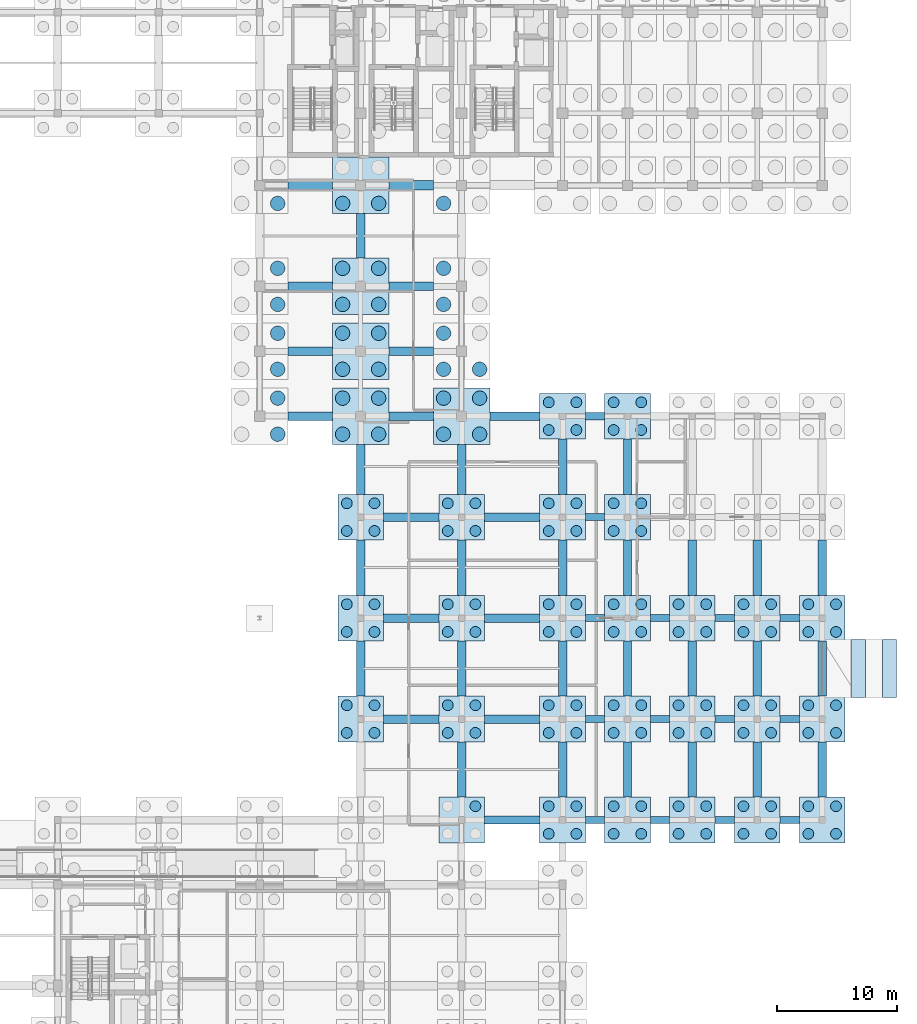
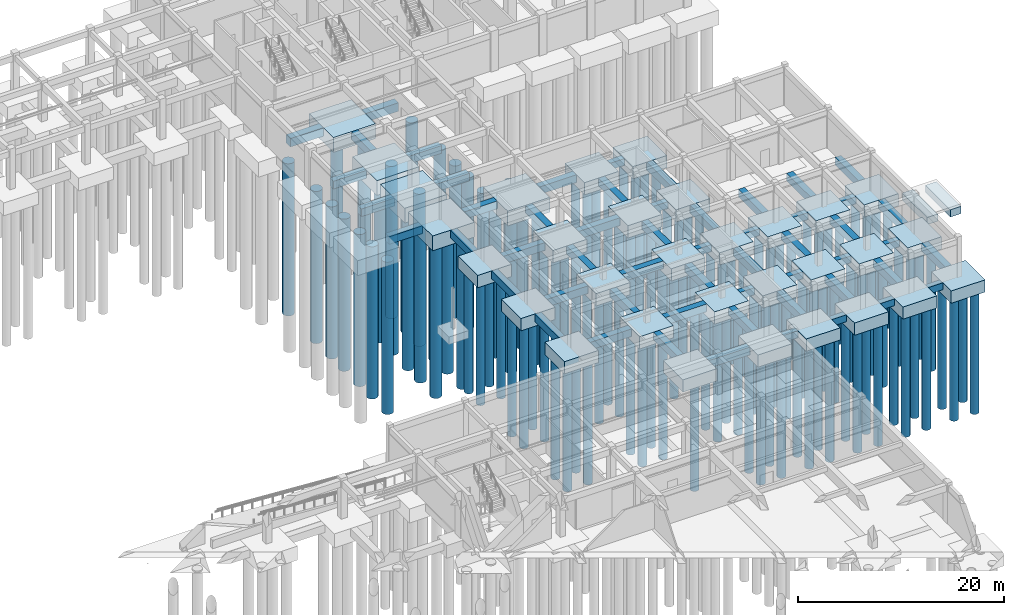
# One storey, part 8 of 49: 132 piles, 88 footings.
"""IFC4 building model written with IfcOpenShell, lengths in metres."""

from ifc_helpers import new_model, si_unit, direction, frame, origin, origin_2d, place, context, subcontext, project, spatial, rectangle, circle, extrude, material, material_profile, profile_set, type_object, element, save


model = new_model("IFC4")

# Units and contexts
model_context = context("Model", 3, precision=1e-05, world=origin(), true_north=direction((0.0, 1.0)))
body_context = subcontext(model_context, "Body", "Model", "MODEL_VIEW")
ifc_project = project(units=[si_unit("LENGTHUNIT", "METRE"), si_unit("AREAUNIT", "SQUARE_METRE"), si_unit("VOLUMEUNIT", "CUBIC_METRE"), si_unit("PLANEANGLEUNIT", "RADIAN"), si_unit("MASSUNIT", "GRAM", prefix="KILO")], contexts=[model_context])

# Site, building, storey
site_placement = place(None, origin())
site = spatial("IfcSite", under=ifc_project, at=site_placement, CompositionType="ELEMENT")
building_placement = place(site_placement, origin())
building = spatial("IfcBuilding", under=site, at=building_placement, Name="Krzemoval Escarpment Law Courts", CompositionType="ELEMENT")
storey_placement = place(building_placement, frame((0.0, 0.0, -4.800048828125)))
storey = spatial("IfcBuildingStorey", under=building, at=storey_placement, Name="B1", CompositionType="ELEMENT", Elevation=-4.800048828125)

# Footings
ifc_material_1 = material(Name="Concrete C35/45", Category="concrete")
footing_type_1 = type_object("IfcFootingType", Name="CAP-4P-3800x3800x1450", PredefinedType="PILE_CAP", material=ifc_material_1)
for number, where, z_axis, x_axis, name in (
    (1, (134.39990234375, 49.199951171875, -1.44970703125), (0.0, 0.0, 1.0), (1.0, 0.0, 0.0), "Pile Cap FC-189"),
    (2, (134.39990234375, 57.60009765625, -1.44970703125), (0.0, 0.0, 1.0), (1.0, 0.0, 0.0), "Pile Cap FC-190"),
    (3, (134.39990234375, 66.0, -1.44970703125), (0.0, 0.0, 1.0), (1.0, 0.0, 0.0), "Pile Cap FC-191"),
    (4, (142.800048828125, 40.800048828125, -1.44970703125), (0.0, 0.0, 1.0), (1.0, 0.0, 0.0), "Pile Cap FC-205"),
    (5, (142.800048828125, 49.199951171875, -1.44970703125), (0.0, 0.0, 1.0), (1.0, 0.0, 0.0), "Pile Cap FC-206"),
    (6, (142.800048828125, 57.60009765625, -1.44970703125), (0.0, 0.0, 1.0), (1.0, 0.0, 0.0), "Pile Cap FC-207"),
    (7, (142.800048828125, 66.0, -1.44970703125), (0.0, 0.0, 1.0), (1.0, 0.0, 0.0), "Pile Cap FC-208"),
    (8, (151.199951171875, 40.800048828125, -1.44970703125), (0.0, 0.0, 1.0), (1.0, 0.0, 0.0), "Pile Cap FC-222"),
    (9, (151.199951171875, 49.199951171875, -1.44970703125), (0.0, 0.0, 1.0), (1.0, 0.0, 0.0), "Pile Cap FC-223"),
    (10, (151.199951171875, 57.60009765625, -1.44970703125), (0.0, 0.0, 1.0), (1.0, 0.0, 0.0), "Pile Cap FC-224"),
    (11, (151.199951171875, 66.0, -1.44970703125), (0.0, 0.0, 1.0), (1.0, 0.0, 0.0), "Pile Cap FC-225"),
    (12, (151.199951171875, 74.39990234375, -1.44970703125), (0.0, 0.0, 1.0), (1.0, 0.0, 0.0), "Pile Cap FC-226"),
    (13, (156.60009765625, 40.800048828125, -1.44970703125), (0.0, 0.0, 1.0), (1.0, 0.0, 0.0), "Pile Cap FC-232"),
    (14, (156.60009765625, 49.199951171875, -1.44970703125), (0.0, 0.0, 1.0), (1.0, 0.0, 0.0), "Pile Cap FC-233"),
    (15, (156.60009765625, 57.60009765625, -1.44970703125), (0.0, 0.0, 1.0), (1.0, 0.0, 0.0), "Pile Cap FC-234"),
    (16, (156.60009765625, 66.0, -1.44970703125), (0.0, 0.0, 1.0), (1.0, 0.0, 0.0), "Pile Cap FC-235"),
    (17, (156.60009765625, 74.39990234375, -1.44970703125), (0.0, 0.0, 1.0), (1.0, 0.0, 0.0), "Pile Cap FC-236"),
    (18, (162.0, 40.800048828125, -1.44970703125), (0.0, 0.0, 1.0), (1.0, 0.0, 0.0), "Pile Cap FC-242"),
    (19, (162.0, 49.199951171875, -1.44970703125), (0.0, 0.0, 1.0), (1.0, 0.0, 0.0), "Pile Cap FC-243"),
    (20, (162.0, 57.60009765625, -1.44970703125), (0.0, 0.0, 1.0), (1.0, 0.0, 0.0), "Pile Cap FC-244"),
    (21, (167.39990234375, 40.800048828125, -1.44970703125), (0.0, 0.0, 1.0), (1.0, 0.0, 0.0), "Pile Cap FC-252"),
    (22, (167.39990234375, 49.199951171875, -1.44970703125), (0.0, 0.0, 1.0), (1.0, 0.0, 0.0), "Pile Cap FC-253"),
    (23, (167.39990234375, 57.60009765625, -1.44970703125), (0.0, 0.0, 1.0), (1.0, 0.0, 0.0), "Pile Cap FC-254"),
    (24, (172.800048828125, 40.800048828125, -1.44970703125), (0.0, 0.0, 1.0), (1.0, 0.0, 0.0), "Pile Cap FC-262"),
    (25, (172.800048828125, 49.199951171875, -1.44970703125), (0.0, 0.0, 1.0), (1.0, 0.0, 0.0), "Pile Cap FC-263"),
    (26, (172.800048828125, 57.60009765625, -1.44970703125), (0.0, 0.0, 1.0), (1.0, 0.0, 0.0), "Pile Cap FC-264"),
):
    element("IfcFooting", number, at=place(storey_placement, frame(where, z_axis=z_axis, x_axis=x_axis)), inside=storey, type_object=footing_type_1, Name=name, PredefinedType="PILE_CAP", context=body_context, shape_type="SweptSolid", body=[
        extrude(rectangle(XDim=3.800048828125, YDim=3.800048828125, at=origin_2d()), origin(), (0.0, 0.0, 1.0), 1.449951171875),
    ])
ifc_material_2 = material(Name="Concrete C35/45", Category="concrete")
footing_type_2 = type_object("IfcFootingType", Name="CAP-4P-4700x4700x1750", PredefinedType="PILE_CAP", material=ifc_material_2)
for number, where, z_axis, x_axis, name in (
    (27, (134.39990234375, 74.39990234375, -1.75), (0.0, 0.0, 1.0), (1.0, 0.0, 0.0), "Pile Cap FC-192"),
    (28, (134.39990234375, 79.800048828125, -1.75), (0.0, 0.0, 1.0), (1.0, 0.0, 0.0), "Pile Cap FC-193"),
    (29, (134.39990234375, 85.199951171875, -1.75), (0.0, 0.0, 1.0), (1.0, 0.0, 0.0), "Pile Cap FC-194"),
    (30, (134.39990234375, 93.60009765625, -1.75), (0.0, 0.0, 1.0), (1.0, 0.0, 0.0), "Pile Cap FC-195"),
    (31, (142.800048828125, 74.39990234375, -1.75), (0.0, 0.0, 1.0), (1.0, 0.0, 0.0), "Pile Cap FC-209"),
):
    element("IfcFooting", number, at=place(storey_placement, frame(where, z_axis=z_axis, x_axis=x_axis)), inside=storey, type_object=footing_type_2, Name=name, PredefinedType="PILE_CAP", context=body_context, shape_type="SweptSolid", body=[
        extrude(rectangle(XDim=4.699951171875, YDim=4.699951171875, at=origin_2d()), origin(), (0.0, 0.0, 1.0), 1.75),
    ])
ifc_material_3 = material(Name="Concrete C35/45", Category="concrete")
footing_type_3 = type_object("IfcFootingType", Name="GB-600x800-L1600", PredefinedType="FOOTING_BEAM", material=ifc_material_3)
for number, where, z_axis, x_axis, name in (
    (32, (153.89990234375, 40.800048828125, -0.7998046875), (0.0, 0.0, 1.0), (1.0, 0.0, 0.0), "Ground Tie Beam GB-088"),
    (33, (159.300048828125, 40.800048828125, -0.7998046875), (0.0, 0.0, 1.0), (1.0, 0.0, 0.0), "Ground Tie Beam GB-089"),
    (34, (164.699951171875, 40.800048828125, -0.7998046875), (0.0, 0.0, 1.0), (1.0, 0.0, 0.0), "Ground Tie Beam GB-090"),
    (35, (170.10009765625, 40.800048828125, -0.7998046875), (0.0, 0.0, 1.0), (1.0, 0.0, 0.0), "Ground Tie Beam GB-091"),
    (36, (153.89990234375, 49.199951171875, -0.7998046875), (0.0, 0.0, 1.0), (1.0, 0.0, 0.0), "Ground Tie Beam GB-098"),
    (37, (159.300048828125, 49.199951171875, -0.7998046875), (0.0, 0.0, 1.0), (1.0, 0.0, 0.0), "Ground Tie Beam GB-099"),
    (38, (164.699951171875, 49.199951171875, -0.7998046875), (0.0, 0.0, 1.0), (1.0, 0.0, 0.0), "Ground Tie Beam GB-100"),
    (39, (170.10009765625, 49.199951171875, -0.7998046875), (0.0, 0.0, 1.0), (1.0, 0.0, 0.0), "Ground Tie Beam GB-101"),
    (40, (153.89990234375, 57.60009765625, -0.7998046875), (0.0, 0.0, 1.0), (1.0, 0.0, 0.0), "Ground Tie Beam GB-108"),
    (41, (159.300048828125, 57.60009765625, -0.7998046875), (0.0, 0.0, 1.0), (1.0, 0.0, 0.0), "Ground Tie Beam GB-109"),
    (42, (164.699951171875, 57.60009765625, -0.7998046875), (0.0, 0.0, 1.0), (1.0, 0.0, 0.0), "Ground Tie Beam GB-110"),
    (43, (170.10009765625, 57.60009765625, -0.7998046875), (0.0, 0.0, 1.0), (1.0, 0.0, 0.0), "Ground Tie Beam GB-111"),
    (44, (153.89990234375, 66.0, -0.7998046875), (0.0, 0.0, 1.0), (1.0, 0.0, 0.0), "Ground Tie Beam GB-118"),
    (45, (153.89990234375, 74.39990234375, -0.7998046875), (0.0, 0.0, 1.0), (1.0, 0.0, 0.0), "Ground Tie Beam GB-129"),
):
    element("IfcFooting", number, at=place(storey_placement, frame(where, z_axis=z_axis, x_axis=x_axis)), inside=storey, type_object=footing_type_3, Name=name, PredefinedType="FOOTING_BEAM", context=body_context, shape_type="SweptSolid", body=[
        extrude(rectangle(XDim=1.60009765625, YDim=0.60009765625, at=origin_2d()), origin(), (0.0, 0.0, 1.0), 0.800048828125),
    ])
ifc_material_4 = material(Name="Concrete C35/45", Category="concrete")
footing_type_4 = type_object("IfcFootingType", Name="GB-700x900-L3700", PredefinedType="FOOTING_BEAM", material=ifc_material_4)
for number, where, z_axis, x_axis, name in (
    (46, (130.199951171875, 74.39990234375, -0.89990234375), (0.0, 0.0, 1.0), (1.0, 0.0, 0.0), "Ground Tie Beam GB-126"),
    (47, (138.60009765625, 74.39990234375, -0.89990234375), (0.0, 0.0, 1.0), (1.0, 0.0, 0.0), "Ground Tie Beam GB-127"),
    (48, (130.199951171875, 79.800048828125, -0.89990234375), (0.0, 0.0, 1.0), (1.0, 0.0, 0.0), "Ground Tie Beam GB-137"),
    (49, (138.60009765625, 79.800048828125, -0.89990234375), (0.0, 0.0, 1.0), (1.0, 0.0, 0.0), "Ground Tie Beam GB-138"),
    (50, (130.199951171875, 85.199951171875, -0.89990234375), (0.0, 0.0, 1.0), (1.0, 0.0, 0.0), "Ground Tie Beam GB-143"),
    (51, (138.60009765625, 85.199951171875, -0.89990234375), (0.0, 0.0, 1.0), (1.0, 0.0, 0.0), "Ground Tie Beam GB-144"),
    (52, (134.39990234375, 89.39990234375, -0.89990234375), (0.0, 0.0, 1.0), (0.0, 1.0, 0.0), "Ground Tie Beam GB-363"),
):
    element("IfcFooting", number, at=place(storey_placement, frame(where, z_axis=z_axis, x_axis=x_axis)), inside=storey, type_object=footing_type_4, Name=name, PredefinedType="FOOTING_BEAM", context=body_context, shape_type="SweptSolid", body=[
        extrude(rectangle(XDim=3.699951171875, YDim=0.699951171875, at=origin_2d()), origin(), (0.0, 0.0, 1.0), 0.89990234375),
    ])
ifc_material_5 = material(Name="Concrete C35/45", Category="concrete")
footing_type_5 = type_object("IfcFootingType", Name="GB-700x900-L4150", PredefinedType="FOOTING_BEAM", material=ifc_material_5)
for number, where, z_axis, x_axis, name in (
    (53, (147.22509765625, 74.39990234375, -0.89990234375), (0.0, 0.0, 1.0), (1.0, 0.0, 0.0), "Ground Tie Beam GB-128"),
    (54, (134.39990234375, 69.97509765625, -0.89990234375), (0.0, 0.0, 1.0), (0.0, 1.0, 0.0), "Ground Tie Beam GB-362"),
    (55, (142.800048828125, 69.97509765625, -0.89990234375), (0.0, 0.0, 1.0), (0.0, 1.0, 0.0), "Ground Tie Beam GB-372"),
):
    element("IfcFooting", number, at=place(storey_placement, frame(where, z_axis=z_axis, x_axis=x_axis)), inside=storey, type_object=footing_type_5, Name=name, PredefinedType="FOOTING_BEAM", context=body_context, shape_type="SweptSolid", body=[
        extrude(rectangle(XDim=4.14990234375, YDim=0.699951171875, at=origin_2d()), origin(), (0.0, 0.0, 1.0), 0.89990234375),
    ])
ifc_material_6 = material(Name="Concrete C35/45", Category="concrete")
footing_type_6 = type_object("IfcFootingType", Name="GB-700x900-L4600", PredefinedType="FOOTING_BEAM", material=ifc_material_6)
for number, where, z_axis, x_axis, name in (
    (56, (147.0, 40.800048828125, -0.89990234375), (0.0, 0.0, 1.0), (1.0, 0.0, 0.0), "Ground Tie Beam GB-087"),
    (57, (138.60009765625, 49.199951171875, -0.89990234375), (0.0, 0.0, 1.0), (1.0, 0.0, 0.0), "Ground Tie Beam GB-096"),
    (58, (147.0, 49.199951171875, -0.89990234375), (0.0, 0.0, 1.0), (1.0, 0.0, 0.0), "Ground Tie Beam GB-097"),
    (59, (138.60009765625, 57.60009765625, -0.89990234375), (0.0, 0.0, 1.0), (1.0, 0.0, 0.0), "Ground Tie Beam GB-106"),
    (60, (147.0, 57.60009765625, -0.89990234375), (0.0, 0.0, 1.0), (1.0, 0.0, 0.0), "Ground Tie Beam GB-107"),
    (61, (138.60009765625, 66.0, -0.89990234375), (0.0, 0.0, 1.0), (1.0, 0.0, 0.0), "Ground Tie Beam GB-116"),
    (62, (147.0, 66.0, -0.89990234375), (0.0, 0.0, 1.0), (1.0, 0.0, 0.0), "Ground Tie Beam GB-117"),
    (63, (134.39990234375, 53.39990234375, -0.89990234375), (0.0, 0.0, 1.0), (0.0, 1.0, 0.0), "Ground Tie Beam GB-360"),
    (64, (134.39990234375, 61.800048828125, -0.89990234375), (0.0, 0.0, 1.0), (0.0, 1.0, 0.0), "Ground Tie Beam GB-361"),
    (65, (142.800048828125, 45.0, -0.89990234375), (0.0, 0.0, 1.0), (0.0, 1.0, 0.0), "Ground Tie Beam GB-369"),
    (66, (142.800048828125, 53.39990234375, -0.89990234375), (0.0, 0.0, 1.0), (0.0, 1.0, 0.0), "Ground Tie Beam GB-370"),
    (67, (142.800048828125, 61.800048828125, -0.89990234375), (0.0, 0.0, 1.0), (0.0, 1.0, 0.0), "Ground Tie Beam GB-371"),
    (68, (151.199951171875, 45.0, -0.89990234375), (0.0, 0.0, 1.0), (0.0, 1.0, 0.0), "Ground Tie Beam GB-379"),
    (69, (151.199951171875, 53.39990234375, -0.89990234375), (0.0, 0.0, 1.0), (0.0, 1.0, 0.0), "Ground Tie Beam GB-380"),
    (70, (151.199951171875, 61.800048828125, -0.89990234375), (0.0, 0.0, 1.0), (0.0, 1.0, 0.0), "Ground Tie Beam GB-381"),
    (71, (151.199951171875, 70.199951171875, -0.89990234375), (0.0, 0.0, 1.0), (0.0, 1.0, 0.0), "Ground Tie Beam GB-382"),
    (72, (156.60009765625, 45.0, -0.89990234375), (0.0, 0.0, 1.0), (0.0, 1.0, 0.0), "Ground Tie Beam GB-384"),
    (73, (156.60009765625, 53.39990234375, -0.89990234375), (0.0, 0.0, 1.0), (0.0, 1.0, 0.0), "Ground Tie Beam GB-385"),
    (74, (156.60009765625, 61.800048828125, -0.89990234375), (0.0, 0.0, 1.0), (0.0, 1.0, 0.0), "Ground Tie Beam GB-386"),
    (75, (156.60009765625, 70.199951171875, -0.89990234375), (0.0, 0.0, 1.0), (0.0, 1.0, 0.0), "Ground Tie Beam GB-387"),
    (76, (162.0, 45.0, -0.89990234375), (0.0, 0.0, 1.0), (0.0, 1.0, 0.0), "Ground Tie Beam GB-389"),
    (77, (162.0, 53.39990234375, -0.89990234375), (0.0, 0.0, 1.0), (0.0, 1.0, 0.0), "Ground Tie Beam GB-390"),
    (78, (162.0, 61.800048828125, -0.89990234375), (0.0, 0.0, 1.0), (0.0, 1.0, 0.0), "Ground Tie Beam GB-391"),
    (79, (167.39990234375, 45.0, -0.89990234375), (0.0, 0.0, 1.0), (0.0, 1.0, 0.0), "Ground Tie Beam GB-394"),
    (80, (167.39990234375, 53.39990234375, -0.89990234375), (0.0, 0.0, 1.0), (0.0, 1.0, 0.0), "Ground Tie Beam GB-395"),
    (81, (167.39990234375, 61.800048828125, -0.89990234375), (0.0, 0.0, 1.0), (0.0, 1.0, 0.0), "Ground Tie Beam GB-396"),
    (82, (172.800048828125, 45.0, -0.89990234375), (0.0, 0.0, 1.0), (0.0, 1.0, 0.0), "Ground Tie Beam GB-399"),
    (83, (172.800048828125, 53.39990234375, -0.89990234375), (0.0, 0.0, 1.0), (0.0, 1.0, 0.0), "Ground Tie Beam GB-400"),
    (84, (172.800048828125, 61.800048828125, -0.89990234375), (0.0, 0.0, 1.0), (0.0, 1.0, 0.0), "Ground Tie Beam GB-401"),
):
    element("IfcFooting", number, at=place(storey_placement, frame(where, z_axis=z_axis, x_axis=x_axis)), inside=storey, type_object=footing_type_6, Name=name, PredefinedType="FOOTING_BEAM", context=body_context, shape_type="SweptSolid", body=[
        extrude(rectangle(XDim=4.60009765625, YDim=0.699951171875, at=origin_2d()), origin(), (0.0, 0.0, 1.0), 0.89990234375),
    ])
ifc_material_7 = material(Name="Concrete C35/45", Category="concrete")
footing_type_7 = type_object("IfcFootingType", Name="GB-800x1000-L3700", PredefinedType="FOOTING_BEAM", material=ifc_material_7)
for number, where, z_axis, x_axis, name in (
    (85, (130.199951171875, 93.60009765625, -1.0), (0.0, 0.0, 1.0), (1.0, 0.0, 0.0), "Ground Tie Beam GB-149"),
    (86, (138.60009765625, 93.60009765625, -1.0), (0.0, 0.0, 1.0), (1.0, 0.0, 0.0), "Ground Tie Beam GB-150"),
):
    element("IfcFooting", number, at=place(storey_placement, frame(where, z_axis=z_axis, x_axis=x_axis)), inside=storey, type_object=footing_type_7, Name=name, PredefinedType="FOOTING_BEAM", context=body_context, shape_type="SweptSolid", body=[
        extrude(rectangle(XDim=3.699951171875, YDim=0.800048828125, at=origin_2d()), origin(), (0.0, 0.0, 1.0), 1.0),
    ])

# Piles
ifc_material_8 = material(Name="Concrete C35/45", Category="concrete")
ifc_material_profile_1 = material_profile(ifc_material_8, circle(Radius=0.60009765625, at=origin_2d()), Name="PILE D1200")
ifc_profile_set_1 = profile_set([ifc_material_profile_1], Name="Concrete C35/45")
pile_type_1 = type_object("IfcPileType", Name="PILE-D1200-18M", PredefinedType="BORED", material=ifc_profile_set_1)
for number, where, z_axis, x_axis, name in (
    (87, (127.5, 72.89990234375, -1.599853515625), (0.0, 0.0, -1.0), (1.0, 0.0, 0.0), "Bored Pile FP-0640"),
    (88, (127.5, 75.89990234375, -1.599853515625), (0.0, 0.0, -1.0), (1.0, 0.0, 0.0), "Bored Pile FP-0642"),
    (89, (127.5, 78.300048828125, -1.599853515625), (0.0, 0.0, -1.0), (1.0, 0.0, 0.0), "Bored Pile FP-0644"),
    (90, (127.5, 81.300048828125, -1.599853515625), (0.0, 0.0, -1.0), (1.0, 0.0, 0.0), "Bored Pile FP-0646"),
    (91, (127.5, 83.699951171875, -1.599853515625), (0.0, 0.0, -1.0), (1.0, 0.0, 0.0), "Bored Pile FP-0648"),
    (92, (127.5, 86.699951171875, -1.599853515625), (0.0, 0.0, -1.0), (1.0, 0.0, 0.0), "Bored Pile FP-0650"),
    (93, (127.5, 92.10009765625, -1.599853515625), (0.0, 0.0, -1.0), (1.0, 0.0, 0.0), "Bored Pile FP-0652"),
    (94, (132.89990234375, 72.89990234375, -1.599853515625), (0.0, 0.0, -1.0), (1.0, 0.0, 0.0), "Bored Pile FP-0707"),
    (95, (135.89990234375, 72.89990234375, -1.599853515625), (0.0, 0.0, -1.0), (1.0, 0.0, 0.0), "Bored Pile FP-0708"),
    (96, (132.89990234375, 75.89990234375, -1.599853515625), (0.0, 0.0, -1.0), (1.0, 0.0, 0.0), "Bored Pile FP-0709"),
    (97, (135.89990234375, 75.89990234375, -1.599853515625), (0.0, 0.0, -1.0), (1.0, 0.0, 0.0), "Bored Pile FP-0710"),
    (98, (132.89990234375, 78.300048828125, -1.599853515625), (0.0, 0.0, -1.0), (1.0, 0.0, 0.0), "Bored Pile FP-0711"),
    (99, (135.89990234375, 78.300048828125, -1.599853515625), (0.0, 0.0, -1.0), (1.0, 0.0, 0.0), "Bored Pile FP-0712"),
    (100, (132.89990234375, 81.300048828125, -1.599853515625), (0.0, 0.0, -1.0), (1.0, 0.0, 0.0), "Bored Pile FP-0713"),
    (101, (135.89990234375, 81.300048828125, -1.599853515625), (0.0, 0.0, -1.0), (1.0, 0.0, 0.0), "Bored Pile FP-0714"),
    (102, (132.89990234375, 83.699951171875, -1.599853515625), (0.0, 0.0, -1.0), (1.0, 0.0, 0.0), "Bored Pile FP-0715"),
    (103, (135.89990234375, 83.699951171875, -1.599853515625), (0.0, 0.0, -1.0), (1.0, 0.0, 0.0), "Bored Pile FP-0716"),
    (104, (132.89990234375, 86.699951171875, -1.599853515625), (0.0, 0.0, -1.0), (1.0, 0.0, 0.0), "Bored Pile FP-0717"),
    (105, (135.89990234375, 86.699951171875, -1.599853515625), (0.0, 0.0, -1.0), (1.0, 0.0, 0.0), "Bored Pile FP-0718"),
    (106, (132.89990234375, 92.10009765625, -1.599853515625), (0.0, 0.0, -1.0), (1.0, 0.0, 0.0), "Bored Pile FP-0719"),
    (107, (135.89990234375, 92.10009765625, -1.599853515625), (0.0, 0.0, -1.0), (1.0, 0.0, 0.0), "Bored Pile FP-0720"),
    (108, (141.300048828125, 72.89990234375, -1.599853515625), (0.0, 0.0, -1.0), (1.0, 0.0, 0.0), "Bored Pile FP-0775"),
    (109, (144.300048828125, 72.89990234375, -1.599853515625), (0.0, 0.0, -1.0), (1.0, 0.0, 0.0), "Bored Pile FP-0776"),
    (110, (141.300048828125, 75.89990234375, -1.599853515625), (0.0, 0.0, -1.0), (1.0, 0.0, 0.0), "Bored Pile FP-0777"),
    (111, (144.300048828125, 75.89990234375, -1.599853515625), (0.0, 0.0, -1.0), (1.0, 0.0, 0.0), "Bored Pile FP-0778"),
    (112, (141.300048828125, 78.300048828125, -1.599853515625), (0.0, 0.0, -1.0), (1.0, 0.0, 0.0), "Bored Pile FP-0779"),
    (113, (144.300048828125, 78.300048828125, -1.599853515625), (0.0, 0.0, -1.0), (1.0, 0.0, 0.0), "Bored Pile FP-0780"),
    (114, (141.300048828125, 81.300048828125, -1.599853515625), (0.0, 0.0, -1.0), (1.0, 0.0, 0.0), "Bored Pile FP-0781"),
    (115, (141.300048828125, 83.699951171875, -1.599853515625), (0.0, 0.0, -1.0), (1.0, 0.0, 0.0), "Bored Pile FP-0783"),
    (116, (141.300048828125, 86.699951171875, -1.599853515625), (0.0, 0.0, -1.0), (1.0, 0.0, 0.0), "Bored Pile FP-0785"),
    (117, (141.300048828125, 92.10009765625, -1.599853515625), (0.0, 0.0, -1.0), (1.0, 0.0, 0.0), "Bored Pile FP-0787"),
):
    element("IfcPile", number, at=place(storey_placement, frame(where, z_axis=z_axis, x_axis=x_axis)), inside=storey, type_object=pile_type_1, Name=name, PredefinedType="BORED", context=body_context, shape_type="SweptSolid", body=[
        extrude(circle(Radius=0.60009765625, at=origin_2d()), origin(), (0.0, 0.0, 1.0), 18.0),
    ])
ifc_material_9 = material(Name="Concrete C35/45", Category="concrete")
ifc_material_profile_2 = material_profile(ifc_material_9, circle(Radius=0.449951171875, at=origin_2d()), Name="PILE D900")
ifc_profile_set_2 = profile_set([ifc_material_profile_2], Name="Concrete C35/45")
pile_type_2 = type_object("IfcPileType", Name="PILE-D750-14M", PredefinedType="BORED", material=ifc_profile_set_2)
for number, where, z_axis, x_axis, name in (
    (118, (133.25, 48.050048828125, -1.300048828125), (0.0, 0.0, -1.0), (1.0, 0.0, 0.0), "Bored Pile FP-0695"),
    (119, (135.550048828125, 48.050048828125, -1.300048828125), (0.0, 0.0, -1.0), (1.0, 0.0, 0.0), "Bored Pile FP-0696"),
    (120, (133.25, 50.35009765625, -1.300048828125), (0.0, 0.0, -1.0), (1.0, 0.0, 0.0), "Bored Pile FP-0697"),
    (121, (135.550048828125, 50.35009765625, -1.300048828125), (0.0, 0.0, -1.0), (1.0, 0.0, 0.0), "Bored Pile FP-0698"),
    (122, (133.25, 56.449951171875, -1.300048828125), (0.0, 0.0, -1.0), (1.0, 0.0, 0.0), "Bored Pile FP-0699"),
    (123, (135.550048828125, 56.449951171875, -1.300048828125), (0.0, 0.0, -1.0), (1.0, 0.0, 0.0), "Bored Pile FP-0700"),
    (124, (133.25, 58.75, -1.300048828125), (0.0, 0.0, -1.0), (1.0, 0.0, 0.0), "Bored Pile FP-0701"),
    (125, (135.550048828125, 58.75, -1.300048828125), (0.0, 0.0, -1.0), (1.0, 0.0, 0.0), "Bored Pile FP-0702"),
    (126, (133.25, 64.85009765625, -1.300048828125), (0.0, 0.0, -1.0), (1.0, 0.0, 0.0), "Bored Pile FP-0703"),
    (127, (135.550048828125, 64.85009765625, -1.300048828125), (0.0, 0.0, -1.0), (1.0, 0.0, 0.0), "Bored Pile FP-0704"),
    (128, (133.25, 67.14990234375, -1.300048828125), (0.0, 0.0, -1.0), (1.0, 0.0, 0.0), "Bored Pile FP-0705"),
    (129, (135.550048828125, 67.14990234375, -1.300048828125), (0.0, 0.0, -1.0), (1.0, 0.0, 0.0), "Bored Pile FP-0706"),
    (130, (143.949951171875, 41.949951171875, -1.300048828125), (0.0, 0.0, -1.0), (1.0, 0.0, 0.0), "Bored Pile FP-0762"),
    (131, (141.64990234375, 48.050048828125, -1.300048828125), (0.0, 0.0, -1.0), (1.0, 0.0, 0.0), "Bored Pile FP-0763"),
    (132, (143.949951171875, 48.050048828125, -1.300048828125), (0.0, 0.0, -1.0), (1.0, 0.0, 0.0), "Bored Pile FP-0764"),
    (133, (141.64990234375, 50.35009765625, -1.300048828125), (0.0, 0.0, -1.0), (1.0, 0.0, 0.0), "Bored Pile FP-0765"),
    (134, (143.949951171875, 50.35009765625, -1.300048828125), (0.0, 0.0, -1.0), (1.0, 0.0, 0.0), "Bored Pile FP-0766"),
    (135, (141.64990234375, 56.449951171875, -1.300048828125), (0.0, 0.0, -1.0), (1.0, 0.0, 0.0), "Bored Pile FP-0767"),
    (136, (143.949951171875, 56.449951171875, -1.300048828125), (0.0, 0.0, -1.0), (1.0, 0.0, 0.0), "Bored Pile FP-0768"),
    (137, (141.64990234375, 58.75, -1.300048828125), (0.0, 0.0, -1.0), (1.0, 0.0, 0.0), "Bored Pile FP-0769"),
    (138, (143.949951171875, 58.75, -1.300048828125), (0.0, 0.0, -1.0), (1.0, 0.0, 0.0), "Bored Pile FP-0770"),
    (139, (141.64990234375, 64.85009765625, -1.300048828125), (0.0, 0.0, -1.0), (1.0, 0.0, 0.0), "Bored Pile FP-0771"),
    (140, (143.949951171875, 64.85009765625, -1.300048828125), (0.0, 0.0, -1.0), (1.0, 0.0, 0.0), "Bored Pile FP-0772"),
    (141, (141.64990234375, 67.14990234375, -1.300048828125), (0.0, 0.0, -1.0), (1.0, 0.0, 0.0), "Bored Pile FP-0773"),
    (142, (143.949951171875, 67.14990234375, -1.300048828125), (0.0, 0.0, -1.0), (1.0, 0.0, 0.0), "Bored Pile FP-0774"),
    (143, (150.050048828125, 39.64990234375, -1.300048828125), (0.0, 0.0, -1.0), (1.0, 0.0, 0.0), "Bored Pile FP-0827"),
    (144, (152.35009765625, 39.64990234375, -1.300048828125), (0.0, 0.0, -1.0), (1.0, 0.0, 0.0), "Bored Pile FP-0828"),
    (145, (150.050048828125, 41.949951171875, -1.300048828125), (0.0, 0.0, -1.0), (1.0, 0.0, 0.0), "Bored Pile FP-0829"),
    (146, (152.35009765625, 41.949951171875, -1.300048828125), (0.0, 0.0, -1.0), (1.0, 0.0, 0.0), "Bored Pile FP-0830"),
    (147, (150.050048828125, 48.050048828125, -1.300048828125), (0.0, 0.0, -1.0), (1.0, 0.0, 0.0), "Bored Pile FP-0831"),
    (148, (152.35009765625, 48.050048828125, -1.300048828125), (0.0, 0.0, -1.0), (1.0, 0.0, 0.0), "Bored Pile FP-0832"),
    (149, (150.050048828125, 50.35009765625, -1.300048828125), (0.0, 0.0, -1.0), (1.0, 0.0, 0.0), "Bored Pile FP-0833"),
    (150, (152.35009765625, 50.35009765625, -1.300048828125), (0.0, 0.0, -1.0), (1.0, 0.0, 0.0), "Bored Pile FP-0834"),
    (151, (150.050048828125, 56.449951171875, -1.300048828125), (0.0, 0.0, -1.0), (1.0, 0.0, 0.0), "Bored Pile FP-0835"),
    (152, (152.35009765625, 56.449951171875, -1.300048828125), (0.0, 0.0, -1.0), (1.0, 0.0, 0.0), "Bored Pile FP-0836"),
    (153, (150.050048828125, 58.75, -1.300048828125), (0.0, 0.0, -1.0), (1.0, 0.0, 0.0), "Bored Pile FP-0837"),
    (154, (152.35009765625, 58.75, -1.300048828125), (0.0, 0.0, -1.0), (1.0, 0.0, 0.0), "Bored Pile FP-0838"),
    (155, (150.050048828125, 64.85009765625, -1.300048828125), (0.0, 0.0, -1.0), (1.0, 0.0, 0.0), "Bored Pile FP-0839"),
    (156, (152.35009765625, 64.85009765625, -1.300048828125), (0.0, 0.0, -1.0), (1.0, 0.0, 0.0), "Bored Pile FP-0840"),
    (157, (150.050048828125, 67.14990234375, -1.300048828125), (0.0, 0.0, -1.0), (1.0, 0.0, 0.0), "Bored Pile FP-0841"),
    (158, (152.35009765625, 67.14990234375, -1.300048828125), (0.0, 0.0, -1.0), (1.0, 0.0, 0.0), "Bored Pile FP-0842"),
    (159, (150.050048828125, 73.25, -1.300048828125), (0.0, 0.0, -1.0), (1.0, 0.0, 0.0), "Bored Pile FP-0843"),
    (160, (152.35009765625, 73.25, -1.300048828125), (0.0, 0.0, -1.0), (1.0, 0.0, 0.0), "Bored Pile FP-0844"),
    (161, (150.050048828125, 75.550048828125, -1.300048828125), (0.0, 0.0, -1.0), (1.0, 0.0, 0.0), "Bored Pile FP-0845"),
    (162, (152.35009765625, 75.550048828125, -1.300048828125), (0.0, 0.0, -1.0), (1.0, 0.0, 0.0), "Bored Pile FP-0846"),
    (163, (155.449951171875, 39.64990234375, -1.300048828125), (0.0, 0.0, -1.0), (1.0, 0.0, 0.0), "Bored Pile FP-0867"),
    (164, (157.75, 39.64990234375, -1.300048828125), (0.0, 0.0, -1.0), (1.0, 0.0, 0.0), "Bored Pile FP-0868"),
    (165, (155.449951171875, 41.949951171875, -1.300048828125), (0.0, 0.0, -1.0), (1.0, 0.0, 0.0), "Bored Pile FP-0869"),
    (166, (157.75, 41.949951171875, -1.300048828125), (0.0, 0.0, -1.0), (1.0, 0.0, 0.0), "Bored Pile FP-0870"),
    (167, (155.449951171875, 48.050048828125, -1.300048828125), (0.0, 0.0, -1.0), (1.0, 0.0, 0.0), "Bored Pile FP-0871"),
    (168, (157.75, 48.050048828125, -1.300048828125), (0.0, 0.0, -1.0), (1.0, 0.0, 0.0), "Bored Pile FP-0872"),
    (169, (155.449951171875, 50.35009765625, -1.300048828125), (0.0, 0.0, -1.0), (1.0, 0.0, 0.0), "Bored Pile FP-0873"),
    (170, (157.75, 50.35009765625, -1.300048828125), (0.0, 0.0, -1.0), (1.0, 0.0, 0.0), "Bored Pile FP-0874"),
    (171, (155.449951171875, 56.449951171875, -1.300048828125), (0.0, 0.0, -1.0), (1.0, 0.0, 0.0), "Bored Pile FP-0875"),
    (172, (157.75, 56.449951171875, -1.300048828125), (0.0, 0.0, -1.0), (1.0, 0.0, 0.0), "Bored Pile FP-0876"),
    (173, (155.449951171875, 58.75, -1.300048828125), (0.0, 0.0, -1.0), (1.0, 0.0, 0.0), "Bored Pile FP-0877"),
    (174, (157.75, 58.75, -1.300048828125), (0.0, 0.0, -1.0), (1.0, 0.0, 0.0), "Bored Pile FP-0878"),
    (175, (155.449951171875, 64.85009765625, -1.300048828125), (0.0, 0.0, -1.0), (1.0, 0.0, 0.0), "Bored Pile FP-0879"),
    (176, (157.75, 64.85009765625, -1.300048828125), (0.0, 0.0, -1.0), (1.0, 0.0, 0.0), "Bored Pile FP-0880"),
    (177, (155.449951171875, 67.14990234375, -1.300048828125), (0.0, 0.0, -1.0), (1.0, 0.0, 0.0), "Bored Pile FP-0881"),
    (178, (157.75, 67.14990234375, -1.300048828125), (0.0, 0.0, -1.0), (1.0, 0.0, 0.0), "Bored Pile FP-0882"),
    (179, (155.449951171875, 73.25, -1.300048828125), (0.0, 0.0, -1.0), (1.0, 0.0, 0.0), "Bored Pile FP-0883"),
    (180, (157.75, 73.25, -1.300048828125), (0.0, 0.0, -1.0), (1.0, 0.0, 0.0), "Bored Pile FP-0884"),
    (181, (155.449951171875, 75.550048828125, -1.300048828125), (0.0, 0.0, -1.0), (1.0, 0.0, 0.0), "Bored Pile FP-0885"),
    (182, (157.75, 75.550048828125, -1.300048828125), (0.0, 0.0, -1.0), (1.0, 0.0, 0.0), "Bored Pile FP-0886"),
    (183, (160.85009765625, 39.64990234375, -1.300048828125), (0.0, 0.0, -1.0), (1.0, 0.0, 0.0), "Bored Pile FP-0907"),
    (184, (163.14990234375, 39.64990234375, -1.300048828125), (0.0, 0.0, -1.0), (1.0, 0.0, 0.0), "Bored Pile FP-0908"),
    (185, (160.85009765625, 41.949951171875, -1.300048828125), (0.0, 0.0, -1.0), (1.0, 0.0, 0.0), "Bored Pile FP-0909"),
    (186, (163.14990234375, 41.949951171875, -1.300048828125), (0.0, 0.0, -1.0), (1.0, 0.0, 0.0), "Bored Pile FP-0910"),
    (187, (160.85009765625, 48.050048828125, -1.300048828125), (0.0, 0.0, -1.0), (1.0, 0.0, 0.0), "Bored Pile FP-0911"),
    (188, (163.14990234375, 48.050048828125, -1.300048828125), (0.0, 0.0, -1.0), (1.0, 0.0, 0.0), "Bored Pile FP-0912"),
    (189, (160.85009765625, 50.35009765625, -1.300048828125), (0.0, 0.0, -1.0), (1.0, 0.0, 0.0), "Bored Pile FP-0913"),
    (190, (163.14990234375, 50.35009765625, -1.300048828125), (0.0, 0.0, -1.0), (1.0, 0.0, 0.0), "Bored Pile FP-0914"),
    (191, (160.85009765625, 56.449951171875, -1.300048828125), (0.0, 0.0, -1.0), (1.0, 0.0, 0.0), "Bored Pile FP-0915"),
    (192, (163.14990234375, 56.449951171875, -1.300048828125), (0.0, 0.0, -1.0), (1.0, 0.0, 0.0), "Bored Pile FP-0916"),
    (193, (160.85009765625, 58.75, -1.300048828125), (0.0, 0.0, -1.0), (1.0, 0.0, 0.0), "Bored Pile FP-0917"),
    (194, (163.14990234375, 58.75, -1.300048828125), (0.0, 0.0, -1.0), (1.0, 0.0, 0.0), "Bored Pile FP-0918"),
    (195, (166.25, 39.64990234375, -1.300048828125), (0.0, 0.0, -1.0), (1.0, 0.0, 0.0), "Bored Pile FP-0947"),
    (196, (168.550048828125, 39.64990234375, -1.300048828125), (0.0, 0.0, -1.0), (1.0, 0.0, 0.0), "Bored Pile FP-0948"),
    (197, (166.25, 41.949951171875, -1.300048828125), (0.0, 0.0, -1.0), (1.0, 0.0, 0.0), "Bored Pile FP-0949"),
    (198, (168.550048828125, 41.949951171875, -1.300048828125), (0.0, 0.0, -1.0), (1.0, 0.0, 0.0), "Bored Pile FP-0950"),
    (199, (166.25, 48.050048828125, -1.300048828125), (0.0, 0.0, -1.0), (1.0, 0.0, 0.0), "Bored Pile FP-0951"),
    (200, (168.550048828125, 48.050048828125, -1.300048828125), (0.0, 0.0, -1.0), (1.0, 0.0, 0.0), "Bored Pile FP-0952"),
    (201, (166.25, 50.35009765625, -1.300048828125), (0.0, 0.0, -1.0), (1.0, 0.0, 0.0), "Bored Pile FP-0953"),
    (202, (168.550048828125, 50.35009765625, -1.300048828125), (0.0, 0.0, -1.0), (1.0, 0.0, 0.0), "Bored Pile FP-0954"),
    (203, (166.25, 56.449951171875, -1.300048828125), (0.0, 0.0, -1.0), (1.0, 0.0, 0.0), "Bored Pile FP-0955"),
    (204, (168.550048828125, 56.449951171875, -1.300048828125), (0.0, 0.0, -1.0), (1.0, 0.0, 0.0), "Bored Pile FP-0956"),
    (205, (166.25, 58.75, -1.300048828125), (0.0, 0.0, -1.0), (1.0, 0.0, 0.0), "Bored Pile FP-0957"),
    (206, (168.550048828125, 58.75, -1.300048828125), (0.0, 0.0, -1.0), (1.0, 0.0, 0.0), "Bored Pile FP-0958"),
    (207, (171.64990234375, 39.64990234375, -1.300048828125), (0.0, 0.0, -1.0), (1.0, 0.0, 0.0), "Bored Pile FP-0987"),
    (208, (173.949951171875, 39.64990234375, -1.300048828125), (0.0, 0.0, -1.0), (1.0, 0.0, 0.0), "Bored Pile FP-0988"),
    (209, (171.64990234375, 41.949951171875, -1.300048828125), (0.0, 0.0, -1.0), (1.0, 0.0, 0.0), "Bored Pile FP-0989"),
    (210, (173.949951171875, 41.949951171875, -1.300048828125), (0.0, 0.0, -1.0), (1.0, 0.0, 0.0), "Bored Pile FP-0990"),
    (211, (171.64990234375, 48.050048828125, -1.300048828125), (0.0, 0.0, -1.0), (1.0, 0.0, 0.0), "Bored Pile FP-0991"),
    (212, (173.949951171875, 48.050048828125, -1.300048828125), (0.0, 0.0, -1.0), (1.0, 0.0, 0.0), "Bored Pile FP-0992"),
    (213, (171.64990234375, 50.35009765625, -1.300048828125), (0.0, 0.0, -1.0), (1.0, 0.0, 0.0), "Bored Pile FP-0993"),
    (214, (173.949951171875, 50.35009765625, -1.300048828125), (0.0, 0.0, -1.0), (1.0, 0.0, 0.0), "Bored Pile FP-0994"),
    (215, (171.64990234375, 56.449951171875, -1.300048828125), (0.0, 0.0, -1.0), (1.0, 0.0, 0.0), "Bored Pile FP-0995"),
    (216, (173.949951171875, 56.449951171875, -1.300048828125), (0.0, 0.0, -1.0), (1.0, 0.0, 0.0), "Bored Pile FP-0996"),
    (217, (171.64990234375, 58.75, -1.300048828125), (0.0, 0.0, -1.0), (1.0, 0.0, 0.0), "Bored Pile FP-0997"),
    (218, (173.949951171875, 58.75, -1.300048828125), (0.0, 0.0, -1.0), (1.0, 0.0, 0.0), "Bored Pile FP-0998"),
):
    element("IfcPile", number, at=place(storey_placement, frame(where, z_axis=z_axis, x_axis=x_axis)), inside=storey, type_object=pile_type_2, Name=name, PredefinedType="BORED", context=body_context, shape_type="SweptSolid", body=[
        extrude(circle(Radius=0.449951171875, at=origin_2d()), origin(), (0.0, 0.0, 1.0), 14.5),
    ])

# Footings
ifc_material_10 = material(Name="Concrete C35/45", Category="concrete")
footing_type_8 = type_object("IfcFootingType", Name="SF-1200x850-L4800", PredefinedType="STRIP_FOOTING", material=ifc_material_10)
for number, where, z_axis, x_axis, name in (
    (219, (175.800048828125, 53.39990234375, -1.0), (0.0, 0.0, 1.0), (0.0, 1.0, 0.0), "Vehicle Ramp Strip Footing SF-002"),
    (220, (178.39990234375, 53.39990234375, -1.0), (0.0, 0.0, 1.0), (0.0, 1.0, 0.0), "Vehicle Ramp Strip Footing SF-003"),
):
    element("IfcFooting", number, at=place(storey_placement, frame(where, z_axis=z_axis, x_axis=x_axis)), inside=storey, type_object=footing_type_8, Name=name, PredefinedType="STRIP_FOOTING", context=body_context, shape_type="SweptSolid", body=[
        extrude(rectangle(XDim=4.800048828125, YDim=1.199951171875, at=origin_2d()), origin(), (0.0, 0.0, 1.0), 0.85009765625),
    ])

save(model, "model.ifc")
